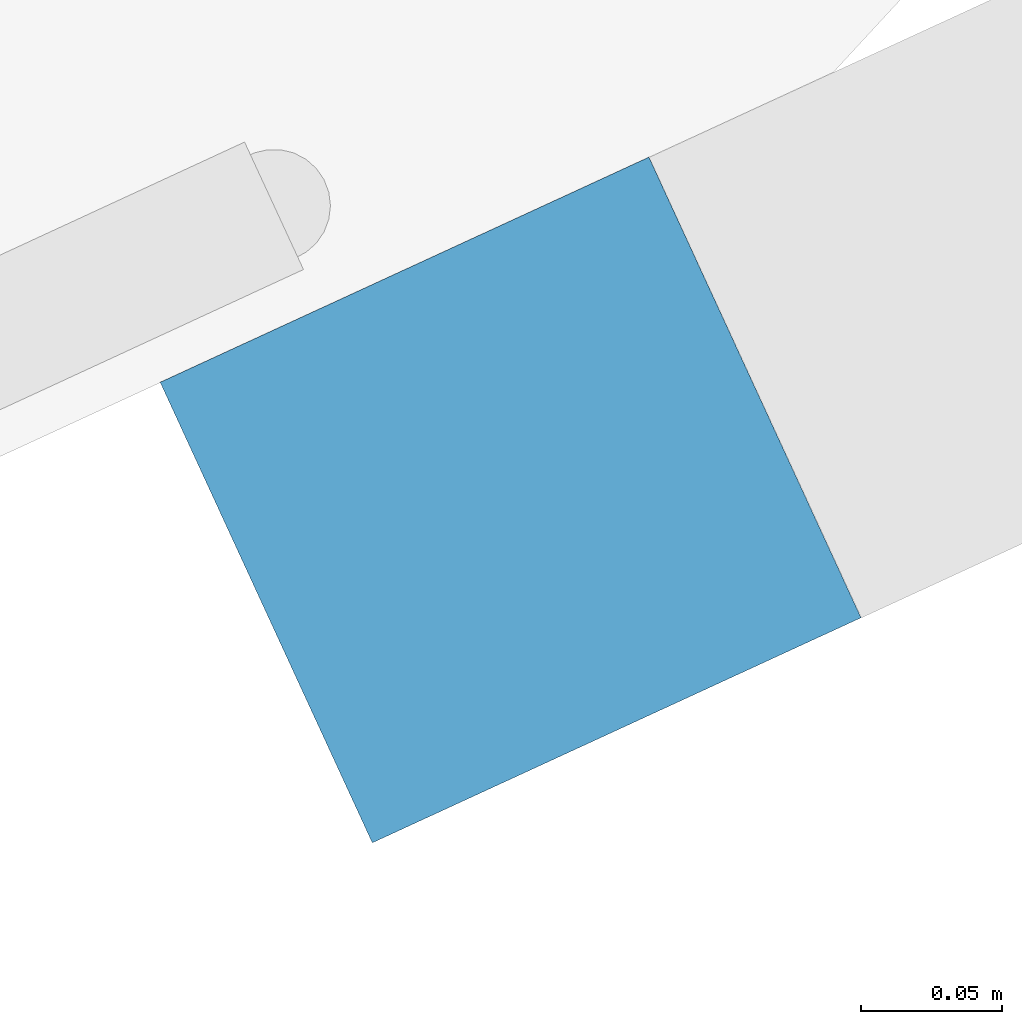
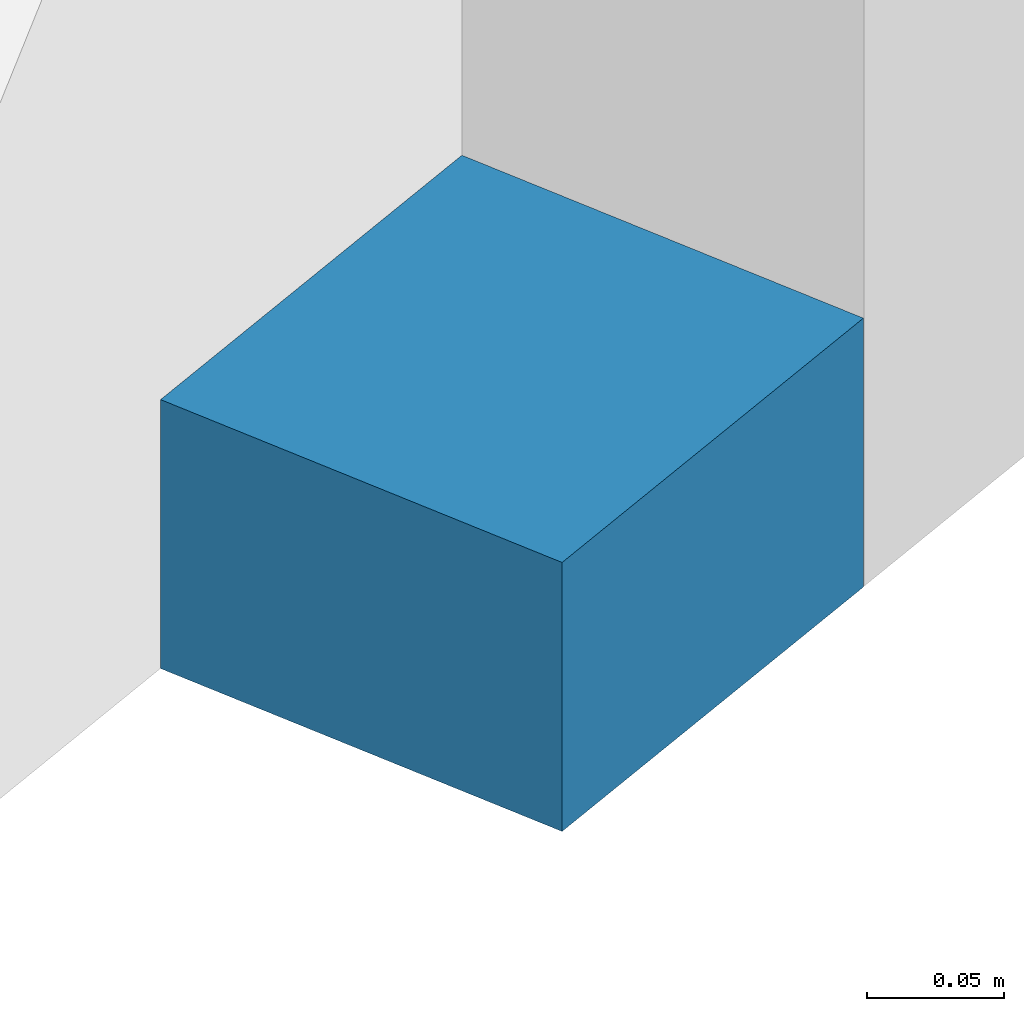
# One storey, part 14 of 23: 1 member, 1 element without a shape of its own.
"""IFC4 building model written with IfcOpenShell, lengths in metres."""

from ifc_helpers import new_model, si_unit, direction, frame, origin, origin_2d, place, context, subcontext, project, spatial, rectangle, extrude, material, material_profile, profile_set, type_object, element, aggregate, save


model = new_model("IFC4")

# Units and contexts
model_context = context("Model", 3, precision=1e-05, world=origin(), true_north=direction((0.0, 1.0)))
body_context = subcontext(model_context, "Body", "Model", "MODEL_VIEW")
ifc_project = project(units=[si_unit("LENGTHUNIT", "METRE"), si_unit("AREAUNIT", "SQUARE_METRE"), si_unit("VOLUMEUNIT", "CUBIC_METRE"), si_unit("PLANEANGLEUNIT", "RADIAN"), si_unit("MASSUNIT", "GRAM", prefix="KILO")], contexts=[model_context])

# Site, building, storey
site_placement = place(None, origin())
site = spatial("IfcSite", under=ifc_project, at=site_placement, CompositionType="ELEMENT")
building_placement = place(site_placement, origin())
building = spatial("IfcBuilding", under=site, at=building_placement, Name="Orlundy Tower", CompositionType="ELEMENT")
storey_placement = place(building_placement, frame((0.0, 0.0, 221.0)))
storey = spatial("IfcBuildingStorey", under=building, at=storey_placement, Name="L58", CompositionType="ELEMENT", Elevation=221.0)

# Curtain wall, member
ifc_material_1 = material(Name="Aluminium bronze anodised", Category="aluminium")
curtain_wall_type = type_object("IfcCurtainWallType", Name="CW1 wall", PredefinedType="NOTDEFINED", material=ifc_material_1)
curtain_wall_placement = place(storey_placement, origin())
curtain_wall = element("IfcCurtainWall", 1, at=curtain_wall_placement, inside=storey, type_object=curtain_wall_type, Name="CW1 run 015", PredefinedType="NOTDEFINED")
ifc_material_2 = material(Name="Aluminium bronze anodised", Category="aluminium")
ifc_material_profile = material_profile(ifc_material_2, rectangle(XDim=0.179931640625, YDim=0.1201171875, at=origin_2d()), Name="CW1 transom 180x120")
ifc_profile_set = profile_set([ifc_material_profile], Name="Aluminium bronze anodised")
member_type = type_object("IfcMemberType", Name="CW1 transom 180x120", PredefinedType="USERDEFINED", material=ifc_profile_set)
member_placement = place(storey_placement, frame((37.17822265625, -11.00390625, -0.360107421875), z_axis=(-0.908296074707, -0.418327910463, 0.0), x_axis=(0.418327910463, -0.908296074707, 0.0)))
member = element("IfcMember", 2, at=member_placement, type_object=member_type, Name="CW1 transom", ObjectType="TRANSOM", PredefinedType="USERDEFINED", context=body_context, shape_type="SweptSolid", body=[
    extrude(rectangle(XDim=0.179931640625, YDim=0.1201171875, at=origin_2d()), origin(), (0.0, 0.0, 1.0), 0.19091796875),
])
aggregate(curtain_wall, [member])

save(model, "model.ifc")
